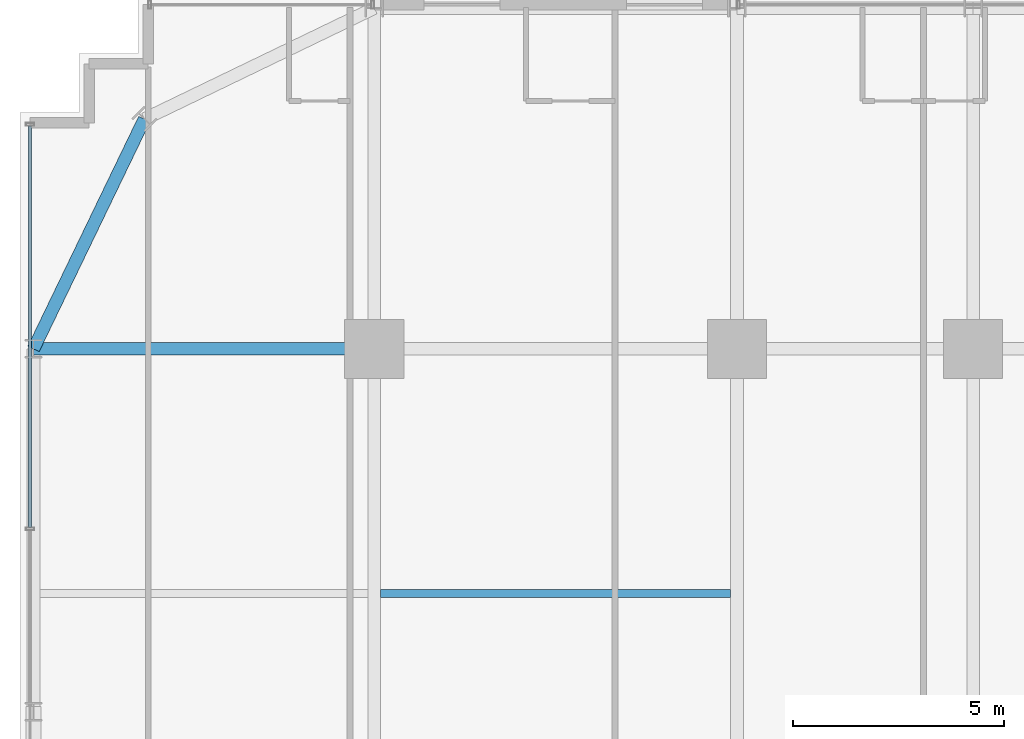
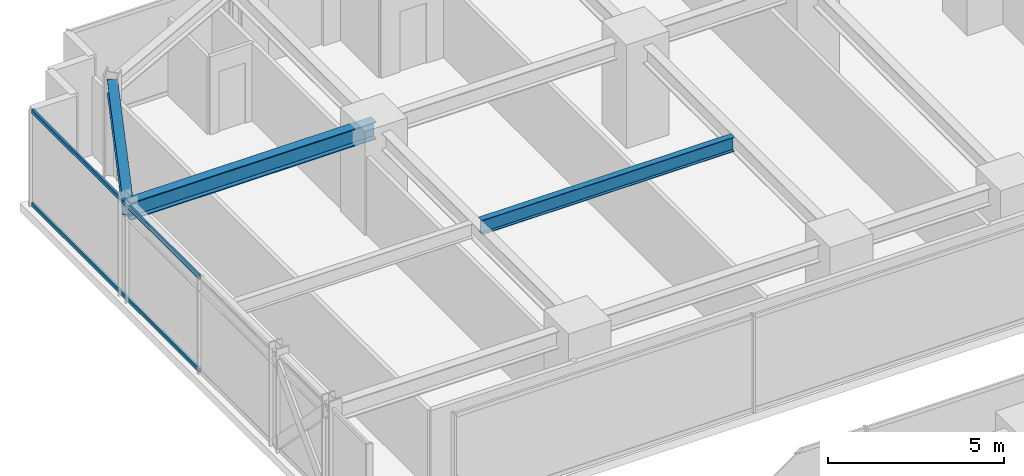
# One storey, part 24 of 41: 3 beams, 2 members, 1 element without a shape of its own.
"""IFC4 building model written with IfcOpenShell, lengths in metres."""

from ifc_helpers import new_model, si_unit, direction, frame, origin, origin_2d, place, context, subcontext, project, spatial, hollow_rectangle, i_section, extrude, source, transform, mapped, material, material_profile, profile_set, type_object, element, aggregate, save


model = new_model("IFC4")

# Units and contexts
model_context = context("Model", 3, precision=1e-05, world=origin(), true_north=direction((0.0, 1.0)))
body_context = subcontext(model_context, "Body", "Model", "MODEL_VIEW")
ifc_project = project(units=[si_unit("LENGTHUNIT", "METRE"), si_unit("AREAUNIT", "SQUARE_METRE"), si_unit("VOLUMEUNIT", "CUBIC_METRE"), si_unit("PLANEANGLEUNIT", "RADIAN"), si_unit("MASSUNIT", "GRAM", prefix="KILO")], contexts=[model_context])

# Site, building, storey
site_placement = place(None, origin())
site = spatial("IfcSite", under=ifc_project, at=site_placement, CompositionType="ELEMENT")
building_placement = place(site_placement, origin())
building = spatial("IfcBuilding", under=site, at=building_placement, Name="Nahalor Promenade Grand Hotel", CompositionType="ELEMENT")
storey_placement = place(building_placement, frame((0.0, 0.0, 54.300048828125)))
storey = spatial("IfcBuildingStorey", under=building, at=storey_placement, Name="L12", CompositionType="ELEMENT", Elevation=54.300048828125)

# Beams
ifc_material_1 = material(Name="Steel S355JR", Category="steel")
ifc_material_profile_1 = material_profile(ifc_material_1, i_section(OverallWidth=0.2, OverallDepth=0.5, WebThickness=0.0102, FlangeThickness=0.016, at=origin_2d()), Name="IPE 500")
ifc_profile_set_1 = profile_set([ifc_material_profile_1], Name="Steel S355JR")
beam_type_1 = type_object("IfcBeamType", Name="Beam-Joist-IPE500", PredefinedType="JOIST", material=ifc_profile_set_1)
shared_shape_1 = source(origin(), body_context, "Body", "SweptSolid", [
    extrude(i_section(OverallWidth=0.2, OverallDepth=0.5, WebThickness=0.0102, FlangeThickness=0.016, at=origin_2d()), origin(), (0.0, 0.0, 1.0), 8.300048828125),
])
beam_1_placement = place(storey_placement, frame((-16.85009765625, 11.199951171875, 3.119873046875), z_axis=(1.0, 0.0, 0.0), x_axis=(0.0, 1.0, 0.0)))
element("IfcBeam", 1, at=beam_1_placement, inside=storey, type_object=beam_type_1, Name="BM-L12-JSW-1-1", PredefinedType="JOIST", context=body_context, shape_type="MappedRepresentation", body=[
    mapped(shared_shape_1, transform((0.0, 0.0, 0.0), scale=1.0)),
])
ifc_material_profile_2 = material_profile(ifc_material_1, i_section(OverallWidth=0.3, OverallDepth=0.6, WebThickness=0.0155, FlangeThickness=0.03, at=origin_2d()), Name="HEB 600")
ifc_profile_set_2 = profile_set([ifc_material_profile_2], Name="Steel S355JR")
beam_type_2 = type_object("IfcBeamType", Name="Beam-Girder-HEB600", PredefinedType="BEAM", material=ifc_profile_set_2)
shared_shape_2 = source(origin(), body_context, "Body", "SweptSolid", [
    extrude(i_section(OverallWidth=0.3, OverallDepth=0.6, WebThickness=0.0155, FlangeThickness=0.03, at=origin_2d()), origin(), (0.0, 0.0, 1.0), 8.080078125),
])
beam_2_placement = place(storey_placement, frame((-25.080078125, 17.0, 3.070068359375), z_axis=(1.0, 0.0, 0.0), x_axis=(0.0, 1.0, 0.0)))
element("IfcBeam", 2, at=beam_2_placement, inside=storey, type_object=beam_type_2, Name="BM-L12-GX-3-0", PredefinedType="BEAM", context=body_context, shape_type="MappedRepresentation", body=[
    mapped(shared_shape_2, transform((0.0, 0.0, 0.0), scale=1.0)),
])
ifc_material_profile_3 = material_profile(ifc_material_1, i_section(OverallWidth=0.3, OverallDepth=0.5, WebThickness=0.0145, FlangeThickness=0.028, at=origin_2d()), Name="HEB 500")
ifc_profile_set_3 = profile_set([ifc_material_profile_3], Name="Steel S355JR")
beam_type_3 = type_object("IfcBeamType", Name="Beam-Spandrel-HEB500", PredefinedType="SPANDREL", material=ifc_profile_set_3)
shared_shape_3 = source(origin(), body_context, "Body", "SweptSolid", [
    extrude(i_section(OverallWidth=0.3, OverallDepth=0.5, WebThickness=0.0145, FlangeThickness=0.028, at=origin_2d()), origin(), (0.0, 0.0, 1.0), 6.051513671875),
])
beam_3_placement = place(storey_placement, frame((-22.449951171875, 22.449951171875, 3.119873046875), z_axis=(-0.434630596492, -0.900608818852, 0.0), x_axis=(0.900608818852, -0.434630596492, 0.0)))
element("IfcBeam", 3, at=beam_3_placement, inside=storey, type_object=beam_type_3, Name="BM-L12-SPC-NW-2", PredefinedType="SPANDREL", context=body_context, shape_type="MappedRepresentation", body=[
    mapped(shared_shape_3, transform((0.0, 0.0, 0.0), scale=1.0)),
])

# Curtain wall, members
ifc_material_2 = material(Name="Anodised Bronze Aluminium EN AW-6063 T6", Category="aluminium")
curtain_wall_type = type_object("IfcCurtainWallType", Name="CW3 Elliptical-Void Collar Unitised Curtain Wall", PredefinedType="USERDEFINED", material=ifc_material_2)
curtain_wall_placement = place(storey_placement, origin())
curtain_wall = element("IfcCurtainWall", 4, at=curtain_wall_placement, inside=storey, type_object=curtain_wall_type, Name="L12 Curtain Wall CW-L12-W-2", ObjectType="UNITISED_CURTAIN_WALL", PredefinedType="USERDEFINED")
ifc_material_profile_4 = material_profile(ifc_material_2, hollow_rectangle(XDim=0.07, YDim=0.14, WallThickness=0.004, at=origin_2d()), Name="CWT 70x140x4")
ifc_profile_set_4 = profile_set([ifc_material_profile_4], Name="Anodised Bronze Aluminium EN AW-6063 T6")
member_type = type_object("IfcMemberType", Name="CWT3 Void Collar Transom 70x140", PredefinedType="USERDEFINED", material=ifc_profile_set_4)
shared_shape_4 = source(origin(), body_context, "Body", "SweptSolid", [
    extrude(hollow_rectangle(XDim=0.07, YDim=0.14, WallThickness=0.004, at=origin_2d()), origin(), (0.0, 0.0, 1.0), 9.525146484375),
])
member_1_placement = place(storey_placement, frame((-25.159912109375, 12.764892578125, 0.070068359375), z_axis=(0.0, 1.0, 0.0), x_axis=(-1.0, 0.0, 0.0)))
member_1 = element("IfcMember", 5, at=member_1_placement, type_object=member_type, Name="CW-L12-W-2 Transom 1-0", ObjectType="TRANSOM", PredefinedType="USERDEFINED", context=body_context, shape_type="MappedRepresentation", body=[
    mapped(shared_shape_4, transform((0.0, 0.0, 0.0), scale=1.0)),
])
member_2_placement = place(storey_placement, frame((-25.159912109375, 12.764892578125, 3.300048828125), z_axis=(0.0, 1.0, 0.0), x_axis=(-1.0, 0.0, 0.0)))
member_2 = element("IfcMember", 6, at=member_2_placement, type_object=member_type, Name="CW-L12-W-2 Transom 1-1", ObjectType="TRANSOM", PredefinedType="USERDEFINED", context=body_context, shape_type="MappedRepresentation", body=[
    mapped(shared_shape_4, transform((0.0, 0.0, 0.0), scale=1.0)),
])
aggregate(curtain_wall, [member_1, member_2])

save(model, "model.ifc")
